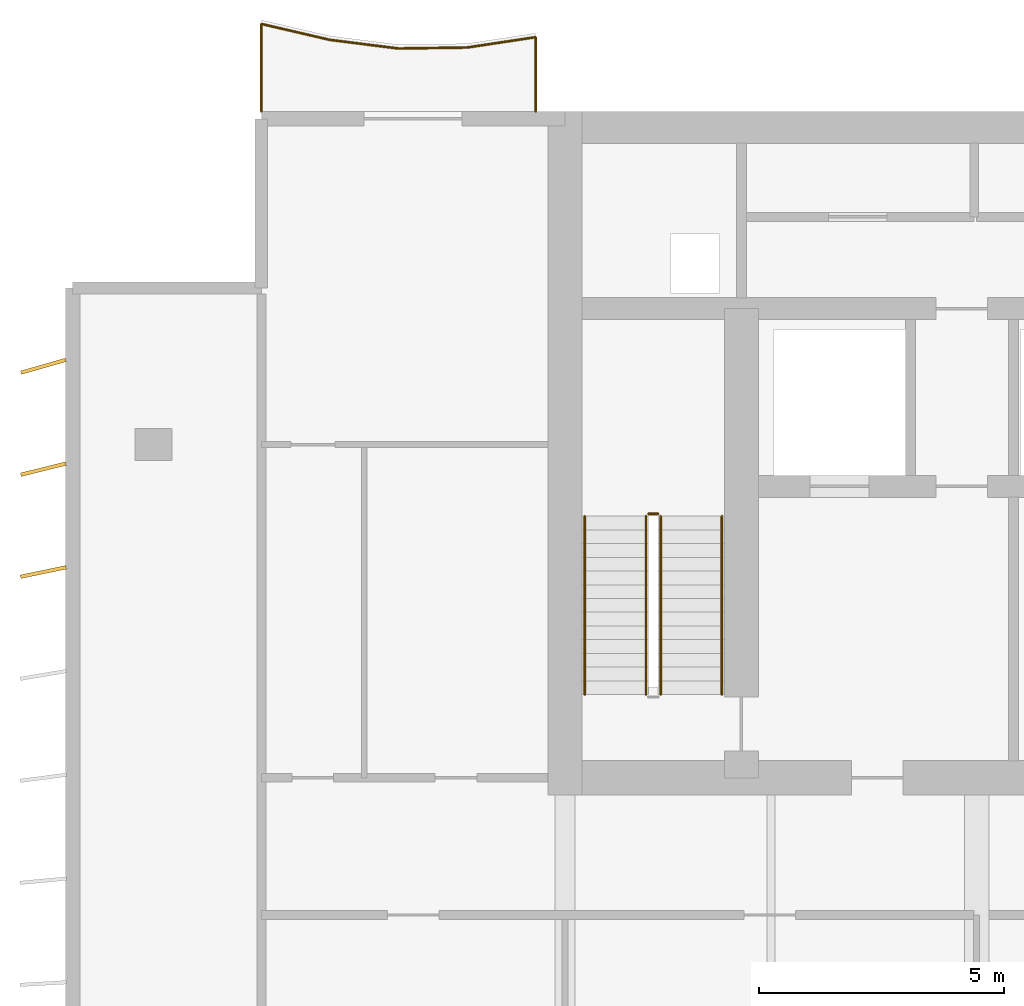
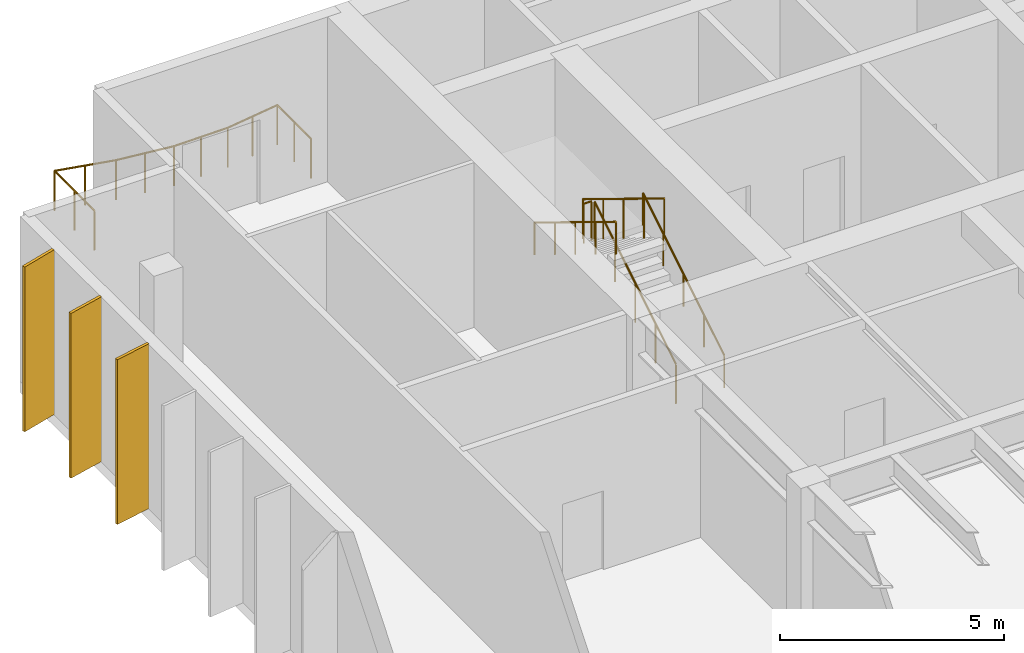
# One storey, part 13 of 14: 6 railings, 3 shading devices.
"""IFC4 building model written with IfcOpenShell, lengths in metres."""

from ifc_helpers import new_model, si_unit, direction, frame, origin, origin_2d, place, context, subcontext, project, spatial, rectangle, circle, extrude, material, material_profile, profile_set, type_object, element, save


model = new_model("IFC4")

# Units and contexts
model_context = context("Model", 3, precision=1e-05, world=origin(), true_north=direction((0.0, 1.0)))
body_context = subcontext(model_context, "Body", "Model", "MODEL_VIEW")
ifc_project = project(units=[si_unit("LENGTHUNIT", "METRE"), si_unit("AREAUNIT", "SQUARE_METRE"), si_unit("VOLUMEUNIT", "CUBIC_METRE"), si_unit("PLANEANGLEUNIT", "RADIAN"), si_unit("MASSUNIT", "GRAM", prefix="KILO")], contexts=[model_context])

# Site, building, storey
site_placement = place(None, origin())
site = spatial("IfcSite", under=ifc_project, at=site_placement, CompositionType="ELEMENT")
building_placement = place(site_placement, origin())
building = spatial("IfcBuilding", under=site, at=building_placement, Name="Caelmar Bay Residences", CompositionType="ELEMENT")
storey_placement = place(building_placement, frame((0.0, 0.0, 269.39990234375)))
storey = spatial("IfcBuildingStorey", under=building, at=storey_placement, Name="L76", CompositionType="ELEMENT", Elevation=269.39990234375)

# Railings
ifc_material_1 = material(Name="Anodised bronze handrail with laminated hurricane glass infill", Category="glass")
railing_type_1 = type_object("IfcRailingType", Name="RL-BAL-1100", PredefinedType="BALUSTRADE", material=ifc_material_1)
railing_1_placement = place(storey_placement, frame((17.699951171875, 50.60009765625, 0.0)))
element("IfcRailing", 1, at=railing_1_placement, inside=storey, type_object=railing_type_1, Name="L76 north_west Balcony Balustrade", PredefinedType="BALUSTRADE", context=body_context, shape_type="SweptSolid", body=[
    extrude(circle(Radius=0.02392578125, at=origin_2d()), frame((0.0, 0.0, 1.076171875), z_axis=(0.0, 1.0, 0.0), x_axis=(-1.0, 0.0, 0.0)), (0.0, 0.0, 1.0), 1.51806640625),
    extrude(circle(Radius=0.02392578125, at=origin_2d()), frame((0.0, 1.51806640625, 1.076171875), z_axis=(-0.988786598686, -0.149335401894, 0.0), x_axis=(0.149335401894, -0.988786598686, 0.0)), (0.0, 0.0, 1.0), 1.415771484375),
    extrude(circle(Radius=0.02392578125, at=origin_2d()), frame((-1.39990234375, 1.306640625, 1.076171875), z_axis=(-0.999895289284, -0.014471021623, 0.0), x_axis=(0.014471021623, -0.999895289284, 0.0)), (0.0, 0.0, 1.0), 1.400390625),
    extrude(circle(Radius=0.02392578125, at=origin_2d()), frame((-2.800048828125, 1.286376953125, 1.076171875), z_axis=(-0.992187101504, 0.124758789708, 0.0), x_axis=(-0.124758789708, -0.992187101504, 0.0)), (0.0, 0.0, 1.0), 1.410888671875),
    extrude(circle(Radius=0.02392578125, at=origin_2d()), frame((-4.199951171875, 1.46240234375, 1.076171875), z_axis=(-0.973988849796, 0.226595940989, 0.0), x_axis=(-0.226595940989, -0.973988849796, 0.0)), (0.0, 0.0, 1.0), 1.437255859375),
    extrude(circle(Radius=0.02392578125, at=origin_2d()), frame((-5.599853515625, 1.7880859375, 1.076171875), z_axis=(0.0, -1.0, 0.0), x_axis=(1.0, 0.0, 0.0)), (0.0, 0.0, 1.0), 1.7880859375),
    extrude(circle(Radius=0.02099609375, at=origin_2d()), origin(), (0.0, 0.0, 1.0), 1.052001953125),
    extrude(circle(Radius=0.02099609375, at=origin_2d()), frame((0.0, 0.759033203125, 0.0)), (0.0, 0.0, 1.0), 1.052001953125),
    extrude(circle(Radius=0.02099609375, at=origin_2d()), frame((0.0, 1.51806640625, 0.0)), (0.0, 0.0, 1.0), 1.052001953125),
    extrude(circle(Radius=0.02099609375, at=origin_2d()), frame((-0.699951171875, 1.412353515625, 0.0)), (0.0, 0.0, 1.0), 1.052001953125),
    extrude(circle(Radius=0.02099609375, at=origin_2d()), frame((-1.39990234375, 1.306640625, 0.0)), (0.0, 0.0, 1.0), 1.052001953125),
    extrude(circle(Radius=0.02099609375, at=origin_2d()), frame((-2.10009765625, 1.29638671875, 0.0)), (0.0, 0.0, 1.0), 1.052001953125),
    extrude(circle(Radius=0.02099609375, at=origin_2d()), frame((-2.800048828125, 1.286376953125, 0.0)), (0.0, 0.0, 1.0), 1.052001953125),
    extrude(circle(Radius=0.02099609375, at=origin_2d()), frame((-3.5, 1.37451171875, 0.0)), (0.0, 0.0, 1.0), 1.052001953125),
    extrude(circle(Radius=0.02099609375, at=origin_2d()), frame((-4.199951171875, 1.46240234375, 0.0)), (0.0, 0.0, 1.0), 1.052001953125),
    extrude(circle(Radius=0.02099609375, at=origin_2d()), frame((-4.89990234375, 1.625244140625, 0.0)), (0.0, 0.0, 1.0), 1.052001953125),
    extrude(circle(Radius=0.02099609375, at=origin_2d()), frame((-5.599853515625, 1.7880859375, 0.0)), (0.0, 0.0, 1.0), 1.052001953125),
    extrude(circle(Radius=0.02099609375, at=origin_2d()), frame((-5.599853515625, 0.89404296875, 0.0)), (0.0, 0.0, 1.0), 1.052001953125),
    extrude(circle(Radius=0.02099609375, at=origin_2d()), frame((-5.599853515625, 0.0, 0.0)), (0.0, 0.0, 1.0), 1.052001953125),
])
ifc_material_2 = material(Name="Painted galvanized steel stair guard 1100 mm", Category="steel")
railing_type_2 = type_object("IfcRailingType", Name="RL-GRD-1100", PredefinedType="GUARDRAIL", material=ifc_material_2)
railing_2_placement = place(storey_placement, frame((20.25, 38.699951171875, 0.171630859375)))
element("IfcRailing", 2, at=railing_2_placement, inside=storey, type_object=railing_type_2, Name="L76 ST1 stair guard 1", PredefinedType="GUARDRAIL", context=body_context, shape_type="SweptSolid", body=[
    extrude(circle(Radius=0.02392578125, at=origin_2d()), frame((0.0, 0.0, 1.076171875), z_axis=(0.0, 0.852865859571, 0.52213008492), x_axis=(-1.0, 0.0, 0.0)), (0.0, 0.0, 1.0), 4.26806640625),
    extrude(circle(Radius=0.02099609375, at=origin_2d()), origin(), (0.0, 0.0, 1.0), 1.052001953125),
    extrude(circle(Radius=0.02099609375, at=origin_2d()), frame((0.0, 0.91015625, 0.55712890625)), (0.0, 0.0, 1.0), 1.052001953125),
    extrude(circle(Radius=0.02099609375, at=origin_2d()), frame((0.0, 1.820068359375, 1.1142578125)), (0.0, 0.0, 1.0), 1.052001953125),
    extrude(circle(Radius=0.02099609375, at=origin_2d()), frame((0.0, 2.72998046875, 1.67138671875)), (0.0, 0.0, 1.0), 1.052001953125),
    extrude(circle(Radius=0.02099609375, at=origin_2d()), frame((0.0, 3.64013671875, 2.228515625)), (0.0, 0.0, 1.0), 1.052001953125),
])
railing_3_placement = place(storey_placement, frame((20.199951171875, 42.389892578125, 2.400146484375)))
element("IfcRailing", 3, at=railing_3_placement, inside=storey, type_object=railing_type_2, Name="L76 ST1 stair guard 2", PredefinedType="GUARDRAIL", context=body_context, shape_type="SweptSolid", body=[
    extrude(circle(Radius=0.02392578125, at=origin_2d()), frame((0.0, 0.0, 1.076171875), z_axis=(-1.0, 0.0, 0.0), x_axis=(0.0, -1.0, 0.0)), (0.0, 0.0, 1.0), 0.199951171875),
    extrude(circle(Radius=0.02099609375, at=origin_2d()), origin(), (0.0, 0.0, 1.0), 1.052001953125),
    extrude(circle(Radius=0.02099609375, at=origin_2d()), frame((-0.199951171875, 0.0, 0.0)), (0.0, 0.0, 1.0), 1.052001953125),
])
railing_4_placement = place(storey_placement, frame((19.949951171875, 42.340087890625, 2.571533203125)))
element("IfcRailing", 4, at=railing_4_placement, inside=storey, type_object=railing_type_2, Name="L76 ST1 stair guard 3", PredefinedType="GUARDRAIL", context=body_context, shape_type="SweptSolid", body=[
    extrude(circle(Radius=0.02392578125, at=origin_2d()), frame((0.0, 0.0, 1.076171875), z_axis=(0.0, -0.852865859571, 0.52213008492), x_axis=(1.0, 0.0, 0.0)), (0.0, 0.0, 1.0), 4.26806640625),
    extrude(circle(Radius=0.02099609375, at=origin_2d()), origin(), (0.0, 0.0, 1.0), 1.052001953125),
    extrude(circle(Radius=0.02099609375, at=origin_2d()), frame((0.0, -0.91015625, 0.55712890625)), (0.0, 0.0, 1.0), 1.052001953125),
    extrude(circle(Radius=0.02099609375, at=origin_2d()), frame((0.0, -1.820068359375, 1.1142578125)), (0.0, 0.0, 1.0), 1.052001953125),
    extrude(circle(Radius=0.02099609375, at=origin_2d()), frame((0.0, -2.72998046875, 1.67138671875)), (0.0, 0.0, 1.0), 1.052001953125),
    extrude(circle(Radius=0.02099609375, at=origin_2d()), frame((0.0, -3.64013671875, 2.228515625)), (0.0, 0.0, 1.0), 1.052001953125),
])
ifc_material_3 = material(Name="Brushed bronze stainless-steel tubular handrail 900 mm", Category="steel")
railing_type_3 = type_object("IfcRailingType", Name="RL-HND-900", PredefinedType="HANDRAIL", material=ifc_material_3)
railing_5_placement = place(storey_placement, frame((21.5, 38.699951171875, 0.171630859375)))
element("IfcRailing", 5, at=railing_5_placement, inside=storey, type_object=railing_type_3, Name="L76 ST1 stair handrail 1", PredefinedType="HANDRAIL", context=body_context, shape_type="SweptSolid", body=[
    extrude(circle(Radius=0.02392578125, at=origin_2d()), frame((0.0, 0.0, 0.8759765625), z_axis=(0.0, 0.852865859571, 0.52213008492), x_axis=(-1.0, 0.0, 0.0)), (0.0, 0.0, 1.0), 4.26806640625),
    extrude(circle(Radius=0.02099609375, at=origin_2d()), origin(), (0.0, 0.0, 1.0), 0.851806640625),
    extrude(circle(Radius=0.02099609375, at=origin_2d()), frame((0.0, 0.91015625, 0.55712890625)), (0.0, 0.0, 1.0), 0.851806640625),
    extrude(circle(Radius=0.02099609375, at=origin_2d()), frame((0.0, 1.820068359375, 1.1142578125)), (0.0, 0.0, 1.0), 0.851806640625),
    extrude(circle(Radius=0.02099609375, at=origin_2d()), frame((0.0, 2.72998046875, 1.67138671875)), (0.0, 0.0, 1.0), 0.851806640625),
    extrude(circle(Radius=0.02099609375, at=origin_2d()), frame((0.0, 3.64013671875, 2.228515625)), (0.0, 0.0, 1.0), 0.851806640625),
])
railing_6_placement = place(storey_placement, frame((18.699951171875, 42.340087890625, 2.571533203125)))
element("IfcRailing", 6, at=railing_6_placement, inside=storey, type_object=railing_type_3, Name="L76 ST1 stair handrail 2", PredefinedType="HANDRAIL", context=body_context, shape_type="SweptSolid", body=[
    extrude(circle(Radius=0.02392578125, at=origin_2d()), frame((0.0, 0.0, 0.8759765625), z_axis=(0.0, -0.852865859571, 0.52213008492), x_axis=(1.0, 0.0, 0.0)), (0.0, 0.0, 1.0), 4.26806640625),
    extrude(circle(Radius=0.02099609375, at=origin_2d()), origin(), (0.0, 0.0, 1.0), 0.851806640625),
    extrude(circle(Radius=0.02099609375, at=origin_2d()), frame((0.0, -0.91015625, 0.55712890625)), (0.0, 0.0, 1.0), 0.851806640625),
    extrude(circle(Radius=0.02099609375, at=origin_2d()), frame((0.0, -1.820068359375, 1.1142578125)), (0.0, 0.0, 1.0), 0.851806640625),
    extrude(circle(Radius=0.02099609375, at=origin_2d()), frame((0.0, -2.72998046875, 1.67138671875)), (0.0, 0.0, 1.0), 0.851806640625),
    extrude(circle(Radius=0.02099609375, at=origin_2d()), frame((0.0, -3.64013671875, 2.228515625)), (0.0, 0.0, 1.0), 0.851806640625),
])

# Shading devices
ifc_material_4 = material(Name="Anodised architectural bronze aluminium 6063-T6", Category="aluminium")
ifc_material_profile = material_profile(ifc_material_4, rectangle(XDim=0.074951171875, YDim=0.949951171875, at=origin_2d()), Name="BRONZE-FIN-75X950")
ifc_profile_set = profile_set([ifc_material_profile], Name="Anodised architectural bronze aluminium 6063-T6")
shading_device_type = type_object("IfcShadingDeviceType", Name="SHD-FIN-950", PredefinedType="USERDEFINED", material=ifc_profile_set)
for number, where, z_axis, x_axis, name in (
    (7, (7.64990234375, 41.199951171875, 0.0), (0.0, 0.0, 1.0), (-0.2032999874, 0.979116497217, 0.0), "L76 West Bronze Solar Fin 14"),
    (8, (7.64990234375, 43.300048828125, 0.0), (0.0, 0.0, 1.0), (-0.239719743609, 0.970842131618, 0.0), "L76 West Bronze Solar Fin 15"),
    (9, (7.64990234375, 45.39990234375, 0.0), (0.0, 0.0, 1.0), (-0.275637355817, 0.961261695938, 0.0), "L76 West Bronze Solar Fin 16"),
):
    element("IfcShadingDevice", number, at=place(storey_placement, frame(where, z_axis=z_axis, x_axis=x_axis)), inside=storey, type_object=shading_device_type, Name=name, ObjectType="FIN", PredefinedType="USERDEFINED", context=body_context, shape_type="SweptSolid", body=[
        extrude(rectangle(XDim=0.074951171875, YDim=0.949951171875, at=origin_2d()), origin(), (0.0, 0.0, 1.0), 4.5),
    ])

save(model, "model.ifc")
